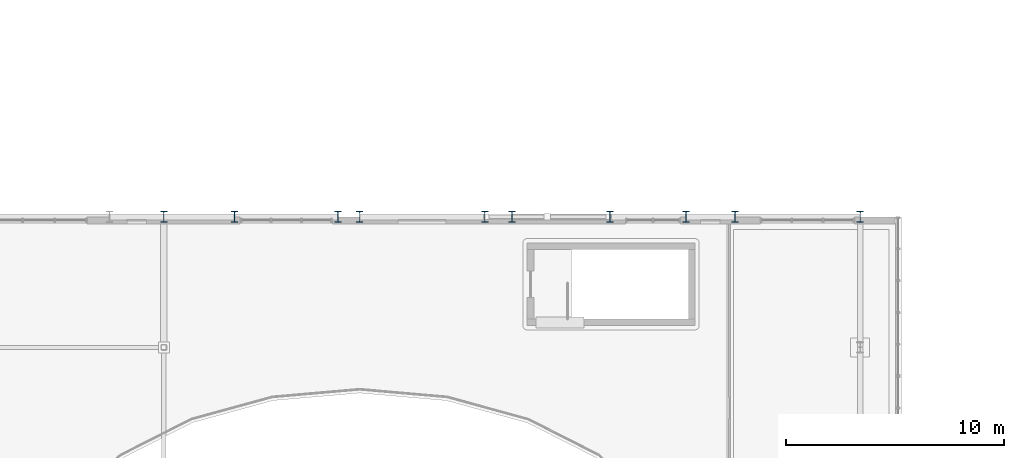
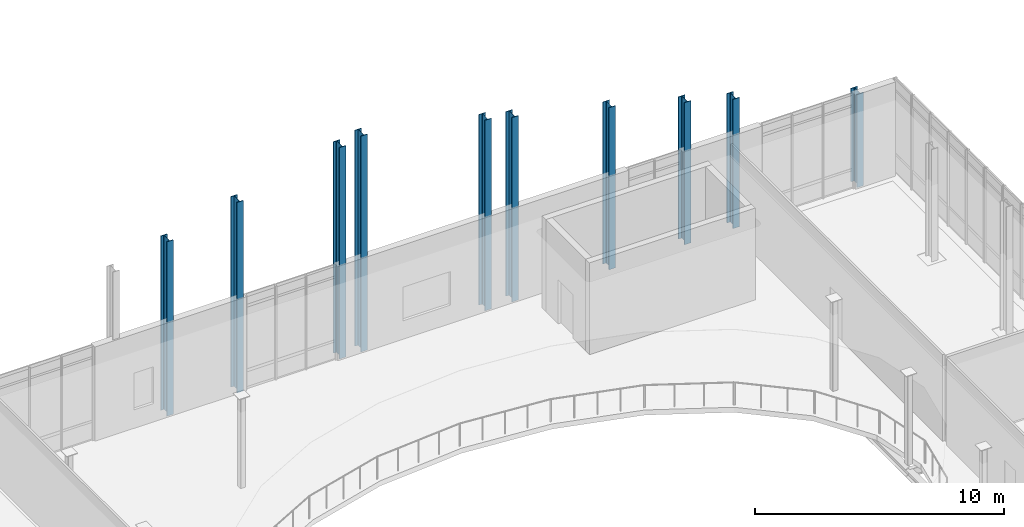
# One storey, part 7 of 86: 10 columns.
"""IFC4 building model written with IfcOpenShell, lengths in metres."""

from ifc_helpers import new_model, si_unit, direction, frame, origin, origin_2d, place, context, subcontext, project, spatial, i_section, extrude, material, material_profile, profile_set, type_object, element, save


model = new_model("IFC4")

# Units and contexts
model_context = context("Model", 3, precision=1e-05, world=origin(), true_north=direction((0.0, 1.0)))
body_context = subcontext(model_context, "Body", "Model", "MODEL_VIEW")
ifc_project = project(units=[si_unit("LENGTHUNIT", "METRE"), si_unit("AREAUNIT", "SQUARE_METRE"), si_unit("VOLUMEUNIT", "CUBIC_METRE"), si_unit("PLANEANGLEUNIT", "RADIAN"), si_unit("MASSUNIT", "GRAM", prefix="KILO")], contexts=[model_context])

# Site, building, storey
site_placement = place(None, origin())
site = spatial("IfcSite", under=ifc_project, at=site_placement, CompositionType="ELEMENT")
building_placement = place(site_placement, origin())
building = spatial("IfcBuilding", under=site, at=building_placement, Name="Cymarion Research Institute", CompositionType="ELEMENT")
storey_placement = place(building_placement, frame((0.0, 0.0, 13.800048828125)))
storey = spatial("IfcBuildingStorey", under=building, at=storey_placement, Name="L03", CompositionType="ELEMENT", Elevation=13.800048828125)

# Columns
ifc_material = material(Name="Steel S355", Category="steel")
ifc_material_profile = material_profile(ifc_material, i_section(OverallWidth=0.300048828125, OverallDepth=0.5, WebThickness=0.014404296875, FlangeThickness=0.028076171875, FilletRadius=0.027099609375, at=origin_2d()), Name="HEB 500")
ifc_profile_set = profile_set([ifc_material_profile], Name="Steel S355")
column_type = type_object("IfcColumnType", Name="STRUCTURAL COLUMN C04 HEB 500", PredefinedType="COLUMN", material=ifc_profile_set)
column_1_placement = place(storey_placement, frame((70.60009765625, 41.5, 0.0), z_axis=(0.0, 0.0, 1.0), x_axis=(1.0, 0.0, 0.0)))
element("IfcColumn", 1, at=column_1_placement, inside=storey, type_object=column_type, Name="L03 V2 column C04 #944", PredefinedType="COLUMN", context=body_context, shape_type="SweptSolid", body=[
    extrude(i_section(OverallWidth=0.300048828125, OverallDepth=0.5, WebThickness=0.014404296875, FlangeThickness=0.028076171875, FilletRadius=0.027099609375, at=origin_2d()), origin(), (0.0, 0.0, 1.0), 8.546630859375),
])
column_2_placement = place(storey_placement, frame((73.85009765625, 41.5, 0.0), z_axis=(0.0, 0.0, 1.0), x_axis=(1.0, 0.0, 0.0)))
element("IfcColumn", 2, at=column_2_placement, inside=storey, type_object=column_type, Name="L03 V2 column C04 #946", PredefinedType="COLUMN", context=body_context, shape_type="SweptSolid", body=[
    extrude(i_section(OverallWidth=0.300048828125, OverallDepth=0.5, WebThickness=0.014404296875, FlangeThickness=0.028076171875, FilletRadius=0.027099609375, at=origin_2d()), origin(), (0.0, 0.0, 1.0), 9.337890625),
])
column_3_placement = place(storey_placement, frame((78.60009765625, 41.5, 0.0), z_axis=(0.0, 0.0, 1.0), x_axis=(1.0, 0.0, 0.0)))
element("IfcColumn", 3, at=column_3_placement, inside=storey, type_object=column_type, Name="L03 V2 column C04 #949", PredefinedType="COLUMN", context=body_context, shape_type="SweptSolid", body=[
    extrude(i_section(OverallWidth=0.300048828125, OverallDepth=0.5, WebThickness=0.014404296875, FlangeThickness=0.028076171875, FilletRadius=0.027099609375, at=origin_2d()), origin(), (0.0, 0.0, 1.0), 10.3623046875),
])
column_4_placement = place(storey_placement, frame((79.60009765625, 41.5, 0.0), z_axis=(0.0, 0.0, 1.0), x_axis=(1.0, 0.0, 0.0)))
element("IfcColumn", 4, at=column_4_placement, inside=storey, type_object=column_type, Name="L03 V2 column C04 #951", PredefinedType="COLUMN", context=body_context, shape_type="SweptSolid", body=[
    extrude(i_section(OverallWidth=0.300048828125, OverallDepth=0.5, WebThickness=0.014404296875, FlangeThickness=0.028076171875, FilletRadius=0.027099609375, at=origin_2d()), origin(), (0.0, 0.0, 1.0), 10.577880859375),
])
column_5_placement = place(storey_placement, frame((85.35009765625, 41.5, 0.0), z_axis=(0.0, 0.0, 1.0), x_axis=(1.0, 0.0, 0.0)))
element("IfcColumn", 5, at=column_5_placement, inside=storey, type_object=column_type, Name="L03 V2 column C04 #954", PredefinedType="COLUMN", context=body_context, shape_type="SweptSolid", body=[
    extrude(i_section(OverallWidth=0.300048828125, OverallDepth=0.5, WebThickness=0.014404296875, FlangeThickness=0.028076171875, FilletRadius=0.027099609375, at=origin_2d()), origin(), (0.0, 0.0, 1.0), 9.337890625),
])
column_6_placement = place(storey_placement, frame((86.60009765625, 41.5, 0.0), z_axis=(0.0, 0.0, 1.0), x_axis=(1.0, 0.0, 0.0)))
element("IfcColumn", 6, at=column_6_placement, inside=storey, type_object=column_type, Name="L03 V2 column C04 #957", PredefinedType="COLUMN", context=body_context, shape_type="SweptSolid", body=[
    extrude(i_section(OverallWidth=0.300048828125, OverallDepth=0.5, WebThickness=0.014404296875, FlangeThickness=0.028076171875, FilletRadius=0.027099609375, at=origin_2d()), origin(), (0.0, 0.0, 1.0), 9.03369140625),
])
column_7_placement = place(storey_placement, frame((91.10009765625, 41.5, 0.0), z_axis=(0.0, 0.0, 1.0), x_axis=(1.0, 0.0, 0.0)))
element("IfcColumn", 7, at=column_7_placement, inside=storey, type_object=column_type, Name="L03 V2 column C04 #959", PredefinedType="COLUMN", context=body_context, shape_type="SweptSolid", body=[
    extrude(i_section(OverallWidth=0.300048828125, OverallDepth=0.5, WebThickness=0.014404296875, FlangeThickness=0.028076171875, FilletRadius=0.027099609375, at=origin_2d()), origin(), (0.0, 0.0, 1.0), 7.93798828125),
])
column_8_placement = place(storey_placement, frame((94.60009765625, 41.5, 0.0), z_axis=(0.0, 0.0, 1.0), x_axis=(1.0, 0.0, 0.0)))
element("IfcColumn", 8, at=column_8_placement, inside=storey, type_object=column_type, Name="L03 V2 column C04 #965", PredefinedType="COLUMN", context=body_context, shape_type="SweptSolid", body=[
    extrude(i_section(OverallWidth=0.300048828125, OverallDepth=0.5, WebThickness=0.014404296875, FlangeThickness=0.028076171875, FilletRadius=0.027099609375, at=origin_2d()), origin(), (0.0, 0.0, 1.0), 6.964111328125),
])
column_9_placement = place(storey_placement, frame((96.85009765625, 41.5, 0.0), z_axis=(0.0, 0.0, 1.0), x_axis=(1.0, 0.0, 0.0)))
element("IfcColumn", 9, at=column_9_placement, inside=storey, type_object=column_type, Name="L03 V2 column C04 #967", PredefinedType="COLUMN", context=body_context, shape_type="SweptSolid", body=[
    extrude(i_section(OverallWidth=0.300048828125, OverallDepth=0.5, WebThickness=0.014404296875, FlangeThickness=0.028076171875, FilletRadius=0.027099609375, at=origin_2d()), origin(), (0.0, 0.0, 1.0), 6.337890625),
])
column_10_placement = place(storey_placement, frame((102.60009765625, 41.5, 0.0), z_axis=(0.0, 0.0, 1.0), x_axis=(1.0, 0.0, 0.0)))
element("IfcColumn", 10, at=column_10_placement, inside=storey, type_object=column_type, Name="L03 V2 column C04 #974", PredefinedType="COLUMN", context=body_context, shape_type="SweptSolid", body=[
    extrude(i_section(OverallWidth=0.300048828125, OverallDepth=0.5, WebThickness=0.014404296875, FlangeThickness=0.028076171875, FilletRadius=0.027099609375, at=origin_2d()), origin(), (0.0, 0.0, 1.0), 4.577880859375),
])

save(model, "model.ifc")
